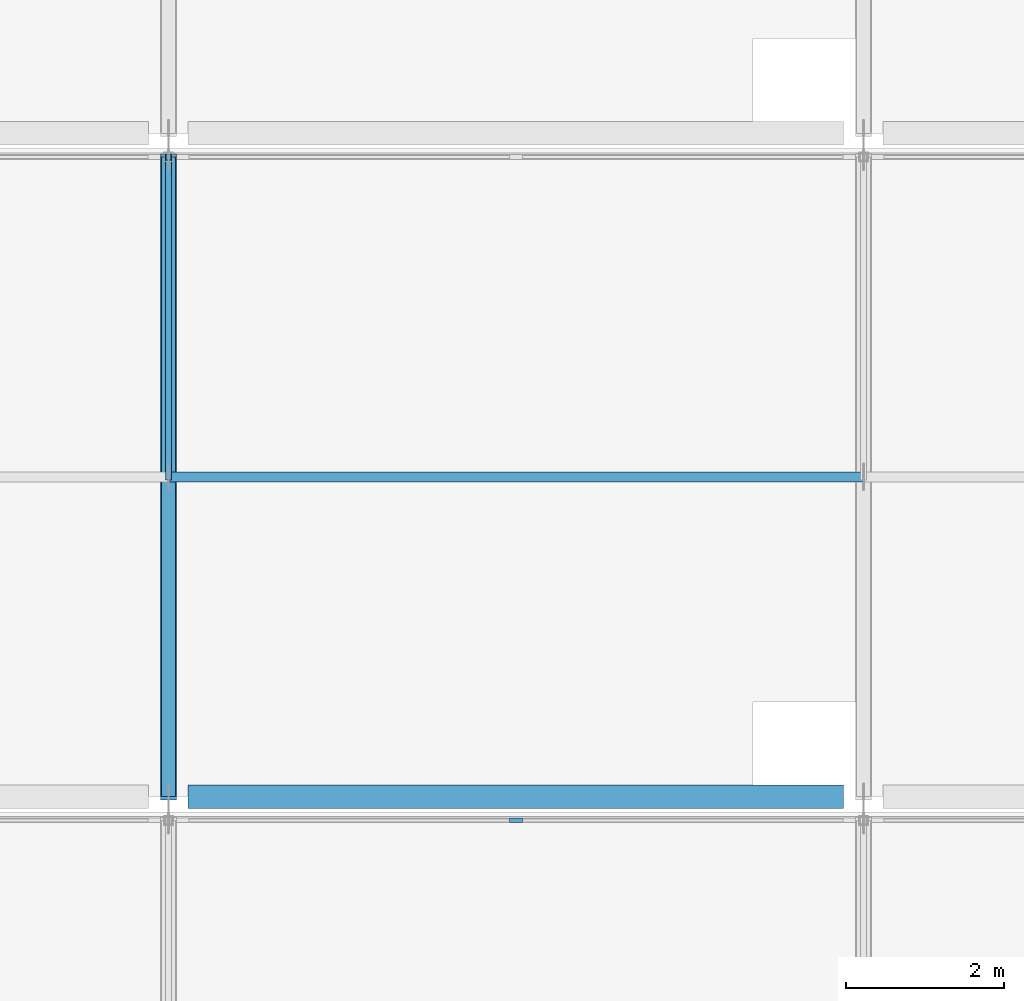
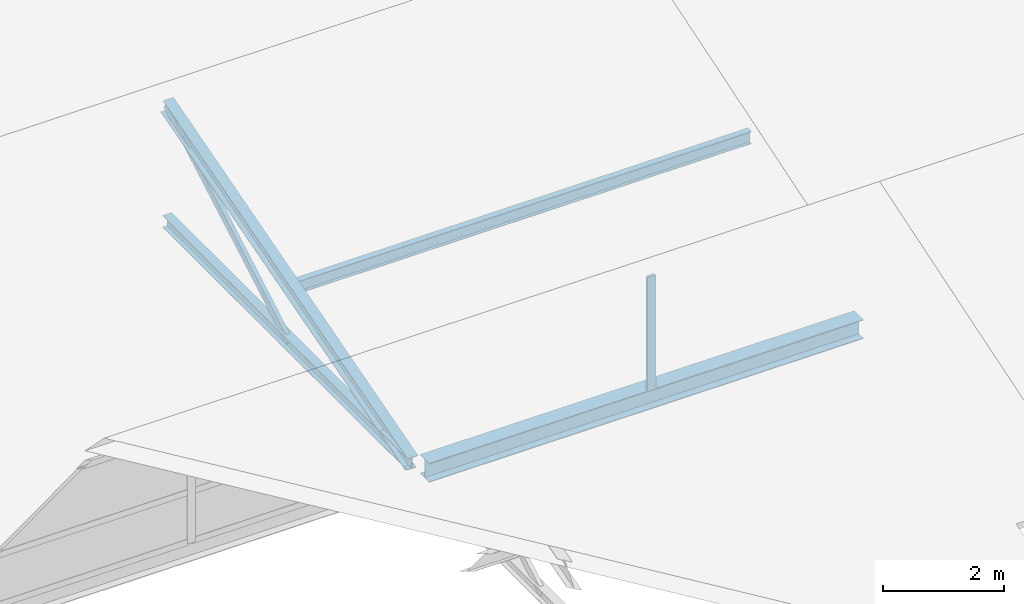
# One storey, part 7 of 40: 5 members, 1 beam, 1 element without a shape of its own.
"""IFC4 building model written with IfcOpenShell, lengths in metres."""

import ifcopenshell
import ifcopenshell.guid

model = None  # the IFC model being written
_history = None  # IfcOwnerHistory: only IFC2X3 demands one
_inside = {}  # id of a spatial element -> (the spatial element, [elements in it])
_under = {}  # id of a project, library or spatial element -> (it, [spatial elements below it])
_declared = {}  # id of a project -> (the project, [libraries it declares])
_typed = {}  # id of a type object -> (the type object, [elements of that type])
_made_of = {}  # id of a material, layer set ... -> (it, [elements and type objects made of it])


def new_model(schema):
    """Start an empty IFC model of exactly this schema.

    Asked for "IFC4X3", IfcOpenShell would pick the latest addendum, in which some entities
    have other attributes; the version numbers below select the first issue.
    IFC2X3 requires an IfcOwnerHistory on every rooted entity: one is made here for all.
    """
    global model, _history
    if schema == "IFC4X3":
        model = ifcopenshell.file(schema_version=(4, 3, 0, 0))
    else:
        model = ifcopenshell.file(schema=schema)
    _inside.clear()
    _under.clear()
    _declared.clear()
    _typed.clear()
    _made_of.clear()
    _history = None
    if model.schema == "IFC2X3":
        org = make("IfcOrganization", Name="unknown")
        user = make(
            "IfcPersonAndOrganization",
            ThePerson=make("IfcPerson", FamilyName="unknown"),
            TheOrganization=org,
        )
        app = make(
            "IfcApplication",
            ApplicationDeveloper=org,
            Version="unknown",
            ApplicationFullName="unknown",
            ApplicationIdentifier="unknown",
        )
        _history = make(
            "IfcOwnerHistory",
            OwningUser=user,
            OwningApplication=app,
            ChangeAction="ADDED",
            CreationDate=0,
        )
    return model


def make(cls, **values):
    """One entity of the class cls with the attributes given. An attribute that is None is left unset."""
    return model.create_entity(
        cls, **{name: value for name, value in values.items() if value is not None}
    )


def rooted(cls, **values):
    """An entity with a GlobalId (a new one), such as an element, a storey or a relation."""
    return make(cls, GlobalId=ifcopenshell.guid.new(), OwnerHistory=_history, **values)


def si_unit(unit_type, name, prefix=None):
    """IfcSIUnit, for example si_unit("LENGTHUNIT", "METRE", prefix="MILLI")."""
    return make("IfcSIUnit", UnitType=unit_type, Prefix=prefix, Name=name)


def assignment(units):
    """IfcUnitAssignment: the units of a project."""
    return None if units is None else make("IfcUnitAssignment", Units=units)


def point(xyz):
    """IfcCartesianPoint."""
    return None if xyz is None else make("IfcCartesianPoint", Coordinates=xyz)


def direction(xyz):
    """IfcDirection."""
    return None if xyz is None else make("IfcDirection", DirectionRatios=xyz)


def frame(location, z_axis=None, x_axis=None):
    """IfcAxis2Placement3D, a coordinate frame: its origin and axes. An axis left out is left unset."""
    return make(
        "IfcAxis2Placement3D",
        Location=point(location),
        Axis=direction(z_axis),
        RefDirection=direction(x_axis),
    )


def frame_2d(location, x_axis=None):
    """IfcAxis2Placement2D, a coordinate frame in the plane: its origin and x axis."""
    return make(
        "IfcAxis2Placement2D", Location=point(location), RefDirection=direction(x_axis)
    )


def origin():
    """The frame at (0, 0, 0) with its axes left unset."""
    return frame((0.0, 0.0, 0.0))


def origin_2d():
    """The frame at (0, 0) in the plane with its x axis left unset."""
    return frame_2d((0.0, 0.0))


def place(relative_to, where):
    """IfcLocalPlacement: puts the frame where relative to a parent placement (None: the world)."""
    return make(
        "IfcLocalPlacement", PlacementRelTo=relative_to, RelativePlacement=where
    )


def context(
    kind, dimensions, precision=None, world=None, true_north=None, identifier=None
):
    """IfcGeometricRepresentationContext, for example the 3D "Model" context."""
    return make(
        "IfcGeometricRepresentationContext",
        ContextIdentifier=identifier,
        ContextType=kind,
        CoordinateSpaceDimension=dimensions,
        Precision=precision,
        WorldCoordinateSystem=world,
        TrueNorth=true_north,
    )


def subcontext(parent, identifier, kind, view, scale=None):
    """IfcGeometricRepresentationSubContext, for example "Body" below "Model"."""
    return make(
        "IfcGeometricRepresentationSubContext",
        ContextIdentifier=identifier,
        ContextType=kind,
        ParentContext=parent,
        TargetScale=scale,
        TargetView=view,
    )


def project(units=None, contexts=None):
    """IfcProject with its units and contexts."""
    return rooted(
        "IfcProject",
        Name="project",
        RepresentationContexts=contexts,
        UnitsInContext=assignment(units),
    )


def spatial(cls, under=None, at=None, **own):
    """A site, building, storey or space (cls), placed at a placement, below another one or the project."""
    s = rooted(cls, ObjectPlacement=at, **own)
    if under is not None:
        _under.setdefault(under.id(), (under, []))[1].append(s)
    return s


def profile(cls, at=None, kind="AREA", **sizes):
    """A parametric profile (cls). Its sizes go by their IFC names, for example OverallWidth=200.0."""
    return make(cls, ProfileType=kind, Position=at, **sizes)


def rectangle(**sizes):
    """IfcRectangleProfileDef."""
    return profile("IfcRectangleProfileDef", **sizes)


def hollow_rectangle(**sizes):
    """IfcRectangleHollowProfileDef."""
    return profile("IfcRectangleHollowProfileDef", **sizes)


def i_section(**sizes):
    """IfcIShapeProfileDef."""
    return profile("IfcIShapeProfileDef", **sizes)


def extrude(swept, where, along, depth):
    """IfcExtrudedAreaSolid: the profile swept, set in the frame where, extruded along a direction by depth."""
    return make(
        "IfcExtrudedAreaSolid",
        SweptArea=swept,
        Position=where,
        ExtrudedDirection=direction(along),
        Depth=depth,
    )


def shape(context_of_items, identifier, shape_type, items):
    """IfcShapeRepresentation: the items that make up one representation, for example the "Body"."""
    return make(
        "IfcShapeRepresentation",
        ContextOfItems=context_of_items,
        RepresentationIdentifier=identifier,
        RepresentationType=shape_type,
        Items=items,
    )


def material(Name=None, Category=None):
    """IfcMaterial."""
    return make("IfcMaterial", Name=Name, Category=Category)


def material_profile(
    of_material, cross_section, Name=None, Category=None, Priority=None
):
    """IfcMaterialProfile: a cross section and its material."""
    return make(
        "IfcMaterialProfile",
        Name=Name,
        Material=of_material,
        Profile=cross_section,
        Priority=Priority,
        Category=Category,
    )


def profile_set(profiles, Name=None, composite=None):
    """IfcMaterialProfileSet."""
    return make(
        "IfcMaterialProfileSet",
        Name=Name,
        MaterialProfiles=profiles,
        CompositeProfile=composite,
    )


def made_of(thing, what):
    """Note that an element or type object is made of a material, layer set ...; save() writes the relation."""
    if what is not None:
        _made_of.setdefault(what.id(), (what, []))[1].append(thing)
    return thing


def type_object(cls, material=None, **own):
    """A type object (cls), such as IfcWallType, which elements share."""
    return made_of(rooted(cls, **own), material)


def element(
    cls,
    number,
    at=None,
    inside=None,
    cuts=None,
    type_object=None,
    material=None,
    context=None,
    identifier="Body",
    shape_type=None,
    held_by="IfcProductDefinitionShape",
    body=None,
    shapes=None,
    **own,
):
    """One element of the class cls, such as IfcWall. Its Tag is "e" and its number.

    at: its placement. inside: the storey or other place that contains it. cuts: it is an
    opening in that element (IfcRelVoidsElement). A single representation is given by context,
    identifier, shape_type and body (its items); several are given by shapes. held_by: the class
    of the entity that holds the representations. save() writes the other relations.
    """
    e = rooted(cls, Tag="e%d" % number, ObjectPlacement=at, **own)
    if body is not None:
        shapes = [shape(context, identifier, shape_type, body)]
    if shapes is not None:
        e.Representation = make(held_by, Representations=shapes)
    if inside is not None:
        _inside.setdefault(inside.id(), (inside, []))[1].append(e)
    if cuts is not None:
        rooted(
            "IfcRelVoidsElement", RelatingBuildingElement=cuts, RelatedOpeningElement=e
        )
    if type_object is not None:
        _typed.setdefault(type_object.id(), (type_object, []))[1].append(e)
    return made_of(e, material)


def aggregate(whole, parts):
    """IfcRelAggregates: a whole, such as a stair, and the parts it consists of."""
    return rooted("IfcRelAggregates", RelatingObject=whole, RelatedObjects=parts)


def save(model, path):
    """Write the relations noted so far, then the file.

    IfcRelAggregates (storeys below a building ...), IfcRelContainedInSpatialStructure (elements
    in a storey), IfcRelDefinesByType, IfcRelAssociatesMaterial and IfcRelDeclares: one each for
    every whole, place, type object, material and project.
    """
    for whole, parts in _under.values():
        aggregate(whole, parts)
    for where, things in _inside.values():
        rooted(
            "IfcRelContainedInSpatialStructure",
            RelatedElements=things,
            RelatingStructure=where,
        )
    for kind, things in _typed.values():
        rooted("IfcRelDefinesByType", RelatedObjects=things, RelatingType=kind)
    for what, things in _made_of.values():
        rooted("IfcRelAssociatesMaterial", RelatedObjects=things, RelatingMaterial=what)
    for by, libraries in _declared.values():
        rooted("IfcRelDeclares", RelatingContext=by, RelatedDefinitions=libraries)
    model.write(path)


model = new_model("IFC4")

# Units and contexts
model_context = context("Model", 3, precision=1e-05, world=origin(), true_north=direction((0.0, 1.0)))
body_context = subcontext(model_context, "Body", "Model", "MODEL_VIEW")
ifc_project = project(units=[si_unit("LENGTHUNIT", "METRE"), si_unit("AREAUNIT", "SQUARE_METRE"), si_unit("VOLUMEUNIT", "CUBIC_METRE"), si_unit("PLANEANGLEUNIT", "RADIAN"), si_unit("MASSUNIT", "GRAM", prefix="KILO")], contexts=[model_context])

# Site, building, storey
site_placement = place(None, origin())
site = spatial("IfcSite", under=ifc_project, at=site_placement, CompositionType="ELEMENT")
building_placement = place(site_placement, origin())
building = spatial("IfcBuilding", under=site, at=building_placement, Name="Brinegate Botanical Conservatory", CompositionType="ELEMENT")
storey_placement = place(building_placement, frame((0.0, 0.0, 19.199951171875)))
storey = spatial("IfcBuildingStorey", under=building, at=storey_placement, Name="L05", CompositionType="ELEMENT", Elevation=19.199951171875)

# Beam
ifc_material_1 = material(Name="Structural steel Q355B / S355", Category="steel")
ifc_material_profile_1 = material_profile(ifc_material_1, i_section(OverallWidth=0.300048828125, OverallDepth=0.389892578125, WebThickness=0.010009765625, FlangeThickness=0.01611328125, at=origin_2d()), Name="HM 390x300x10x16")
ifc_profile_set_1 = profile_set([ifc_material_profile_1], Name="Structural steel Q355B / S355")
beam_type = type_object("IfcBeamType", Name="Beam_BM-S5", PredefinedType="BEAM", material=ifc_profile_set_1)
beam_placement = place(storey_placement, frame((77.449951171875, 95.199951171875, -0.179931640625), z_axis=(1.0, 0.0, 0.0), x_axis=(0.0, 1.0, 0.0)))
element("IfcBeam", 1, at=beam_placement, inside=storey, type_object=beam_type, Name="Sawtooth valley girder BM-S5 B2.4", PredefinedType="BEAM", context=body_context, shape_type="SweptSolid", body=[
    extrude(i_section(OverallWidth=0.300048828125, OverallDepth=0.389892578125, WebThickness=0.010009765625, FlangeThickness=0.01611328125, at=origin_2d()), origin(), (0.0, 0.0, 1.0), 8.300048828125),
])

# Curtain wall, member
ifc_material_2 = material(Name="Thermally broken anodised aluminium AW-6063-T6", Category="aluminium")
curtain_wall_type = type_object("IfcCurtainWallType", Name="CW_CW-SAW", PredefinedType="USERDEFINED", material=ifc_material_2)
curtain_wall_placement = place(storey_placement, origin())
curtain_wall = element("IfcCurtainWall", 2, at=curtain_wall_placement, inside=storey, type_object=curtain_wall_type, Name="Sawtooth north-light clerestory B1.4", ObjectType="FACTORY CURTAIN WALL", PredefinedType="USERDEFINED")
ifc_material_profile_2 = material_profile(ifc_material_2, rectangle(XDim=0.06005859375, YDim=0.159912109375, at=origin_2d()), Name="ALUM MULLION 60x160")
ifc_profile_set_2 = profile_set([ifc_material_profile_2], Name="Thermally broken anodised aluminium AW-6063-T6")
member_type_1 = type_object("IfcMemberType", Name="Member_ML-01", PredefinedType="MULLION", material=ifc_profile_set_2)
member_1_placement = place(storey_placement, frame((81.60009765625, 94.89990234375, 0.150146484375), z_axis=(0.0, 0.0, 1.0), x_axis=(0.0, 1.0, 0.0)))
member_1 = element("IfcMember", 3, at=member_1_placement, type_object=member_type_1, Name="CW-SAW mullion 2", PredefinedType="MULLION", context=body_context, shape_type="SweptSolid", body=[
    extrude(rectangle(XDim=0.06005859375, YDim=0.159912109375, at=origin_2d()), origin(), (0.0, 0.0, 1.0), 2.2998046875),
])
aggregate(curtain_wall, [member_1])

# Members
ifc_material_profile_3 = material_profile(ifc_material_1, hollow_rectangle(XDim=0.080078125, YDim=0.159912109375, WallThickness=0.006103515625, at=origin_2d()), Name="RHS 160x80x6")
ifc_profile_set_3 = profile_set([ifc_material_profile_3], Name="Structural steel Q355B / S355")
member_type_2 = type_object("IfcMemberType", Name="Member_SB-01", PredefinedType="BRACE", material=ifc_profile_set_3)
member_2_placement = place(storey_placement, frame((77.199951171875, 99.25, 0.02001953125), z_axis=(0.0, 0.866786044896, 0.49868021053), x_axis=(-1.0, 0.0, 0.0)))
element("IfcMember", 4, at=member_2_placement, inside=storey, type_object=member_type_2, Name="Sawtooth web diagonal SB-01 B2.T4", PredefinedType="BRACE", context=body_context, shape_type="SweptSolid", body=[
    extrude(hollow_rectangle(XDim=0.080078125, YDim=0.159912109375, WallThickness=0.006103515625, at=origin_2d()), origin(), (0.0, 0.0, 1.0), 4.672607421875),
])
ifc_material_profile_4 = material_profile(ifc_material_1, i_section(OverallWidth=0.199951171875, OverallDepth=0.2939453125, WebThickness=0.008056640625, FlangeThickness=0.011962890625, at=origin_2d()), Name="HM 294x200x8x12")
ifc_profile_set_4 = profile_set([ifc_material_profile_4], Name="Structural steel Q355B / S355")
member_type_3 = type_object("IfcMemberType", Name="Member_SC-01", PredefinedType="CHORD", material=ifc_profile_set_4)
member_3_placement = place(storey_placement, frame((77.199951171875, 95.199951171875, 0.02001953125), z_axis=(0.0, 0.961028334039, 0.276449889085), x_axis=(-1.0, 0.0, 0.0)))
element("IfcMember", 5, at=member_3_placement, inside=storey, type_object=member_type_3, Name="Sawtooth rafter chord SC-01 B2.T4", PredefinedType="CHORD", context=body_context, shape_type="SweptSolid", body=[
    extrude(i_section(OverallWidth=0.199951171875, OverallDepth=0.2939453125, WebThickness=0.008056640625, FlangeThickness=0.011962890625, at=origin_2d()), origin(), (0.0, 0.0, 1.0), 8.428466796875),
])
ifc_material_profile_5 = material_profile(ifc_material_1, i_section(OverallWidth=0.175048828125, OverallDepth=0.243896484375, WebThickness=0.007080078125, FlangeThickness=0.010986328125, at=origin_2d()), Name="HM 244x175x7x11")
ifc_profile_set_5 = profile_set([ifc_material_profile_5], Name="Structural steel Q355B / S355")
member_type_4 = type_object("IfcMemberType", Name="Member_SC-02", PredefinedType="CHORD", material=ifc_profile_set_5)
member_4_placement = place(storey_placement, frame((77.199951171875, 95.199951171875, 0.02001953125), z_axis=(0.0, 1.0, 0.0), x_axis=(-1.0, 0.0, 0.0)))
element("IfcMember", 6, at=member_4_placement, inside=storey, type_object=member_type_4, Name="Sawtooth bottom tie SC-02 B2.T4", PredefinedType="CHORD", context=body_context, shape_type="SweptSolid", body=[
    extrude(i_section(OverallWidth=0.175048828125, OverallDepth=0.243896484375, WebThickness=0.007080078125, FlangeThickness=0.010986328125, at=origin_2d()), origin(), (0.0, 0.0, 1.0), 8.10009765625),
])
ifc_material_profile_6 = material_profile(ifc_material_1, i_section(OverallWidth=0.125, OverallDepth=0.25, WebThickness=0.006103515625, FlangeThickness=0.009033203125, at=origin_2d()), Name="HN 250x125x6x9")
ifc_profile_set_6 = profile_set([ifc_material_profile_6], Name="Structural steel Q355B / S355")
member_type_5 = type_object("IfcMemberType", Name="Member_SPU-01", PredefinedType="PURLIN", material=ifc_profile_set_6)
member_5_placement = place(storey_placement, frame((77.199951171875, 99.25, 1.094970703125), z_axis=(1.0, 0.0, 0.0), x_axis=(0.0, 1.0, 0.0)))
element("IfcMember", 7, at=member_5_placement, inside=storey, type_object=member_type_5, Name="Sawtooth roof purlin SPU-01 B2.4", PredefinedType="PURLIN", context=body_context, shape_type="SweptSolid", body=[
    extrude(i_section(OverallWidth=0.125, OverallDepth=0.25, WebThickness=0.006103515625, FlangeThickness=0.009033203125, at=origin_2d()), origin(), (0.0, 0.0, 1.0), 8.800048828125),
])

save(model, "model.ifc")
